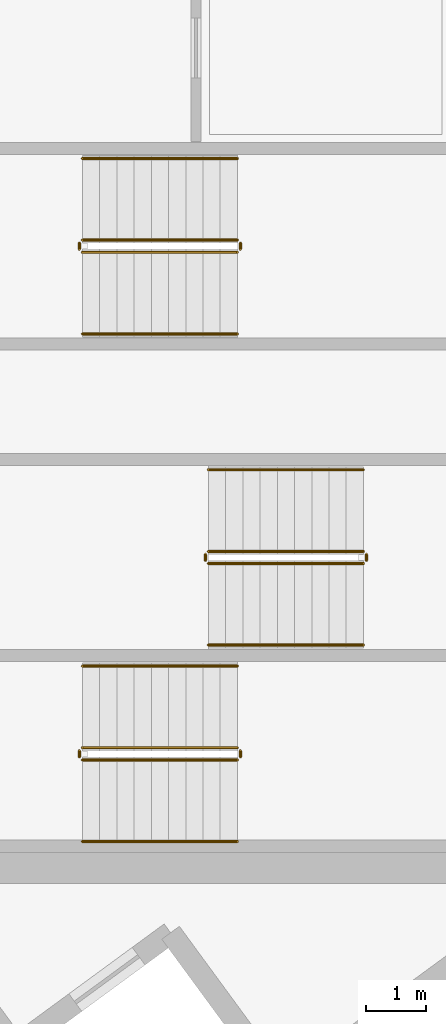
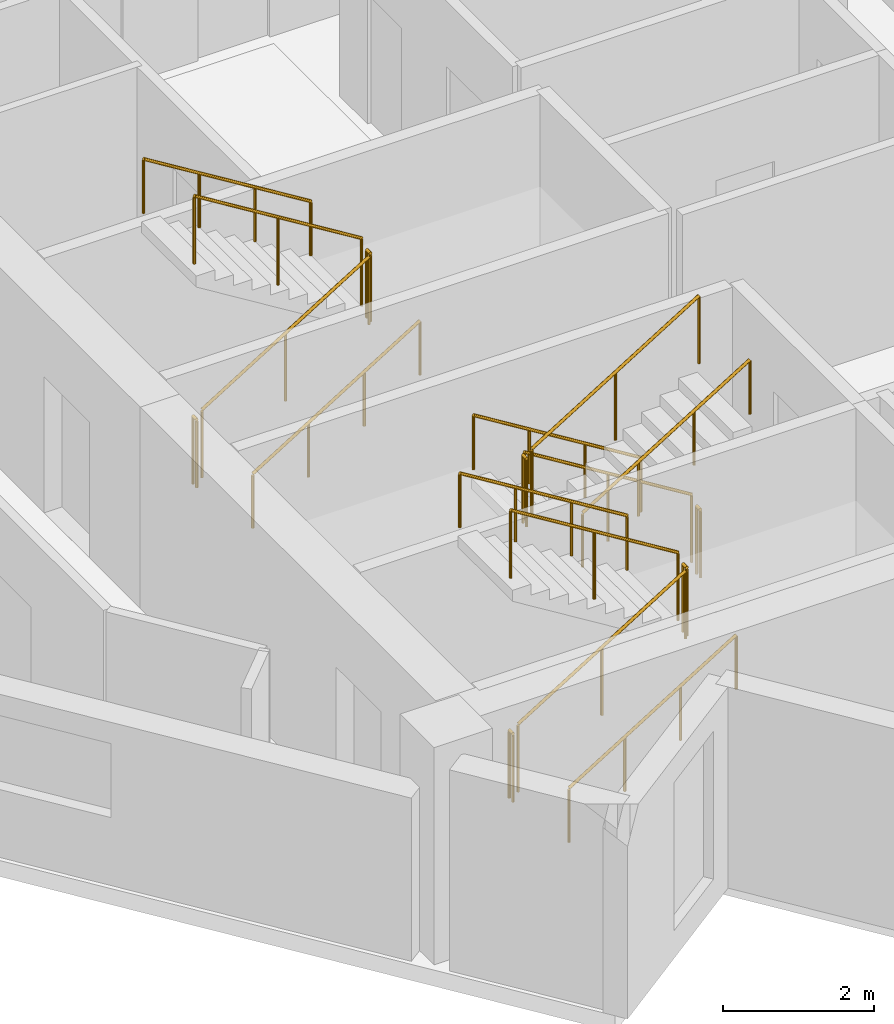
# One storey, part 12 of 13: 18 railings.
"""IFC4 building model written with IfcOpenShell, lengths in metres."""

import ifcopenshell
import ifcopenshell.guid

model = None  # the IFC model being written
_history = None  # IfcOwnerHistory: only IFC2X3 demands one
_inside = {}  # id of a spatial element -> (the spatial element, [elements in it])
_under = {}  # id of a project, library or spatial element -> (it, [spatial elements below it])
_declared = {}  # id of a project -> (the project, [libraries it declares])
_typed = {}  # id of a type object -> (the type object, [elements of that type])
_made_of = {}  # id of a material, layer set ... -> (it, [elements and type objects made of it])


def new_model(schema):
    """Start an empty IFC model of exactly this schema.

    Asked for "IFC4X3", IfcOpenShell would pick the latest addendum, in which some entities
    have other attributes; the version numbers below select the first issue.
    IFC2X3 requires an IfcOwnerHistory on every rooted entity: one is made here for all.
    """
    global model, _history
    if schema == "IFC4X3":
        model = ifcopenshell.file(schema_version=(4, 3, 0, 0))
    else:
        model = ifcopenshell.file(schema=schema)
    _inside.clear()
    _under.clear()
    _declared.clear()
    _typed.clear()
    _made_of.clear()
    _history = None
    if model.schema == "IFC2X3":
        org = make("IfcOrganization", Name="unknown")
        user = make(
            "IfcPersonAndOrganization",
            ThePerson=make("IfcPerson", FamilyName="unknown"),
            TheOrganization=org,
        )
        app = make(
            "IfcApplication",
            ApplicationDeveloper=org,
            Version="unknown",
            ApplicationFullName="unknown",
            ApplicationIdentifier="unknown",
        )
        _history = make(
            "IfcOwnerHistory",
            OwningUser=user,
            OwningApplication=app,
            ChangeAction="ADDED",
            CreationDate=0,
        )
    return model


def make(cls, **values):
    """One entity of the class cls with the attributes given. An attribute that is None is left unset."""
    return model.create_entity(
        cls, **{name: value for name, value in values.items() if value is not None}
    )


def rooted(cls, **values):
    """An entity with a GlobalId (a new one), such as an element, a storey or a relation."""
    return make(cls, GlobalId=ifcopenshell.guid.new(), OwnerHistory=_history, **values)


def si_unit(unit_type, name, prefix=None):
    """IfcSIUnit, for example si_unit("LENGTHUNIT", "METRE", prefix="MILLI")."""
    return make("IfcSIUnit", UnitType=unit_type, Prefix=prefix, Name=name)


def assignment(units):
    """IfcUnitAssignment: the units of a project."""
    return None if units is None else make("IfcUnitAssignment", Units=units)


def point(xyz):
    """IfcCartesianPoint."""
    return None if xyz is None else make("IfcCartesianPoint", Coordinates=xyz)


def direction(xyz):
    """IfcDirection."""
    return None if xyz is None else make("IfcDirection", DirectionRatios=xyz)


def frame(location, z_axis=None, x_axis=None):
    """IfcAxis2Placement3D, a coordinate frame: its origin and axes. An axis left out is left unset."""
    return make(
        "IfcAxis2Placement3D",
        Location=point(location),
        Axis=direction(z_axis),
        RefDirection=direction(x_axis),
    )


def frame_2d(location, x_axis=None):
    """IfcAxis2Placement2D, a coordinate frame in the plane: its origin and x axis."""
    return make(
        "IfcAxis2Placement2D", Location=point(location), RefDirection=direction(x_axis)
    )


def origin():
    """The frame at (0, 0, 0) with its axes left unset."""
    return frame((0.0, 0.0, 0.0))


def origin_2d():
    """The frame at (0, 0) in the plane with its x axis left unset."""
    return frame_2d((0.0, 0.0))


def place(relative_to, where):
    """IfcLocalPlacement: puts the frame where relative to a parent placement (None: the world)."""
    return make(
        "IfcLocalPlacement", PlacementRelTo=relative_to, RelativePlacement=where
    )


def context(
    kind, dimensions, precision=None, world=None, true_north=None, identifier=None
):
    """IfcGeometricRepresentationContext, for example the 3D "Model" context."""
    return make(
        "IfcGeometricRepresentationContext",
        ContextIdentifier=identifier,
        ContextType=kind,
        CoordinateSpaceDimension=dimensions,
        Precision=precision,
        WorldCoordinateSystem=world,
        TrueNorth=true_north,
    )


def subcontext(parent, identifier, kind, view, scale=None):
    """IfcGeometricRepresentationSubContext, for example "Body" below "Model"."""
    return make(
        "IfcGeometricRepresentationSubContext",
        ContextIdentifier=identifier,
        ContextType=kind,
        ParentContext=parent,
        TargetScale=scale,
        TargetView=view,
    )


def project(units=None, contexts=None):
    """IfcProject with its units and contexts."""
    return rooted(
        "IfcProject",
        Name="project",
        RepresentationContexts=contexts,
        UnitsInContext=assignment(units),
    )


def spatial(cls, under=None, at=None, **own):
    """A site, building, storey or space (cls), placed at a placement, below another one or the project."""
    s = rooted(cls, ObjectPlacement=at, **own)
    if under is not None:
        _under.setdefault(under.id(), (under, []))[1].append(s)
    return s


def profile(cls, at=None, kind="AREA", **sizes):
    """A parametric profile (cls). Its sizes go by their IFC names, for example OverallWidth=200.0."""
    return make(cls, ProfileType=kind, Position=at, **sizes)


def circle(**sizes):
    """IfcCircleProfileDef."""
    return profile("IfcCircleProfileDef", **sizes)


def extrude(swept, where, along, depth):
    """IfcExtrudedAreaSolid: the profile swept, set in the frame where, extruded along a direction by depth."""
    return make(
        "IfcExtrudedAreaSolid",
        SweptArea=swept,
        Position=where,
        ExtrudedDirection=direction(along),
        Depth=depth,
    )


def shape(context_of_items, identifier, shape_type, items):
    """IfcShapeRepresentation: the items that make up one representation, for example the "Body"."""
    return make(
        "IfcShapeRepresentation",
        ContextOfItems=context_of_items,
        RepresentationIdentifier=identifier,
        RepresentationType=shape_type,
        Items=items,
    )


def material(Name=None, Category=None):
    """IfcMaterial."""
    return make("IfcMaterial", Name=Name, Category=Category)


def made_of(thing, what):
    """Note that an element or type object is made of a material, layer set ...; save() writes the relation."""
    if what is not None:
        _made_of.setdefault(what.id(), (what, []))[1].append(thing)
    return thing


def type_object(cls, material=None, **own):
    """A type object (cls), such as IfcWallType, which elements share."""
    return made_of(rooted(cls, **own), material)


def element(
    cls,
    number,
    at=None,
    inside=None,
    cuts=None,
    type_object=None,
    material=None,
    context=None,
    identifier="Body",
    shape_type=None,
    held_by="IfcProductDefinitionShape",
    body=None,
    shapes=None,
    **own,
):
    """One element of the class cls, such as IfcWall. Its Tag is "e" and its number.

    at: its placement. inside: the storey or other place that contains it. cuts: it is an
    opening in that element (IfcRelVoidsElement). A single representation is given by context,
    identifier, shape_type and body (its items); several are given by shapes. held_by: the class
    of the entity that holds the representations. save() writes the other relations.
    """
    e = rooted(cls, Tag="e%d" % number, ObjectPlacement=at, **own)
    if body is not None:
        shapes = [shape(context, identifier, shape_type, body)]
    if shapes is not None:
        e.Representation = make(held_by, Representations=shapes)
    if inside is not None:
        _inside.setdefault(inside.id(), (inside, []))[1].append(e)
    if cuts is not None:
        rooted(
            "IfcRelVoidsElement", RelatingBuildingElement=cuts, RelatedOpeningElement=e
        )
    if type_object is not None:
        _typed.setdefault(type_object.id(), (type_object, []))[1].append(e)
    return made_of(e, material)


def aggregate(whole, parts):
    """IfcRelAggregates: a whole, such as a stair, and the parts it consists of."""
    return rooted("IfcRelAggregates", RelatingObject=whole, RelatedObjects=parts)


def save(model, path):
    """Write the relations noted so far, then the file.

    IfcRelAggregates (storeys below a building ...), IfcRelContainedInSpatialStructure (elements
    in a storey), IfcRelDefinesByType, IfcRelAssociatesMaterial and IfcRelDeclares: one each for
    every whole, place, type object, material and project.
    """
    for whole, parts in _under.values():
        aggregate(whole, parts)
    for where, things in _inside.values():
        rooted(
            "IfcRelContainedInSpatialStructure",
            RelatedElements=things,
            RelatingStructure=where,
        )
    for kind, things in _typed.values():
        rooted("IfcRelDefinesByType", RelatedObjects=things, RelatingType=kind)
    for what, things in _made_of.values():
        rooted("IfcRelAssociatesMaterial", RelatedObjects=things, RelatingMaterial=what)
    for by, libraries in _declared.values():
        rooted("IfcRelDeclares", RelatingContext=by, RelatedDefinitions=libraries)
    model.write(path)


model = new_model("IFC4")

# Units and contexts
model_context = context("Model", 3, precision=1e-05, world=origin(), true_north=direction((0.0, 1.0)))
body_context = subcontext(model_context, "Body", "Model", "MODEL_VIEW")
ifc_project = project(units=[si_unit("LENGTHUNIT", "METRE"), si_unit("AREAUNIT", "SQUARE_METRE"), si_unit("VOLUMEUNIT", "CUBIC_METRE"), si_unit("PLANEANGLEUNIT", "RADIAN"), si_unit("MASSUNIT", "GRAM", prefix="KILO")], contexts=[model_context])

# Site, building, storey
site_placement = place(None, origin())
site = spatial("IfcSite", under=ifc_project, at=site_placement, CompositionType="ELEMENT")
building_placement = place(site_placement, origin())
building = spatial("IfcBuilding", under=site, at=building_placement, Name="Narakoshi Arena Tower", CompositionType="ELEMENT")
storey_placement = place(building_placement, frame((0.0, 0.0, 243.139892578125)))
storey = spatial("IfcBuildingStorey", under=building, at=storey_placement, Name="L66", CompositionType="ELEMENT", Elevation=243.139892578125)

# Railings
ifc_material_1 = material(Name="Clear low-iron laminated structural glass", Category="glass")
railing_type_1 = type_object("IfcRailingType", Name="RL-BAL-1100", PredefinedType="BALUSTRADE", material=ifc_material_1)
railing_1_placement = place(storey_placement, frame((74.39990234375, 36.949951171875, 0.176025390625)))
element("IfcRailing", 1, at=railing_1_placement, inside=storey, type_object=railing_type_1, Name="L66 ST1 stair guard 1", PredefinedType="BALUSTRADE", context=body_context, shape_type="SweptSolid", body=[
    extrude(circle(Radius=0.02392578125, at=origin_2d()), frame((0.0, 0.0, 1.09619140625), z_axis=(0.850856559306, 0.0, 0.525398054323), x_axis=(0.0, 1.0, 0.0)), (0.0, 0.0, 1.0), 3.014892578125),
    extrude(circle(Radius=0.02099609375, at=origin_2d()), origin(), (0.0, 0.0, 1.0), 1.072021484375),
    extrude(circle(Radius=0.02099609375, at=origin_2d()), frame((1.28271484375, 0.0, 0.7919921875)), (0.0, 0.0, 1.0), 1.072021484375),
    extrude(circle(Radius=0.02099609375, at=origin_2d()), frame((2.565185546875, 0.0, 1.583984375)), (0.0, 0.0, 1.0), 1.072021484375),
])
railing_2_placement = place(storey_placement, frame((77.014892578125, 37.0, 1.760009765625)))
element("IfcRailing", 2, at=railing_2_placement, inside=storey, type_object=railing_type_1, Name="L66 ST1 stair guard 2", PredefinedType="BALUSTRADE", context=body_context, shape_type="SweptSolid", body=[
    extrude(circle(Radius=0.02392578125, at=origin_2d()), frame((0.0, 0.0, 1.09619140625), z_axis=(0.0, 1.0, 0.0), x_axis=(-1.0, 0.0, 0.0)), (0.0, 0.0, 1.0), 0.10009765625),
    extrude(circle(Radius=0.02099609375, at=origin_2d()), origin(), (0.0, 0.0, 1.0), 1.072021484375),
    extrude(circle(Radius=0.02099609375, at=origin_2d()), frame((0.0, 0.10009765625, 0.0)), (0.0, 0.0, 1.0), 1.072021484375),
])
railing_3_placement = place(storey_placement, frame((76.965087890625, 37.14990234375, 1.93603515625)))
element("IfcRailing", 3, at=railing_3_placement, inside=storey, type_object=railing_type_1, Name="L66 ST1 stair guard 3", PredefinedType="BALUSTRADE", context=body_context, shape_type="SweptSolid", body=[
    extrude(circle(Radius=0.02392578125, at=origin_2d()), frame((0.0, 0.0, 1.09619140625), z_axis=(-0.850856559306, 0.0, 0.525398054323), x_axis=(0.0, -1.0, 0.0)), (0.0, 0.0, 1.0), 3.014892578125),
    extrude(circle(Radius=0.02099609375, at=origin_2d()), origin(), (0.0, 0.0, 1.0), 1.072021484375),
    extrude(circle(Radius=0.02099609375, at=origin_2d()), frame((-1.28271484375, 0.0, 0.7919921875)), (0.0, 0.0, 1.0), 1.072021484375),
    extrude(circle(Radius=0.02099609375, at=origin_2d()), frame((-2.565185546875, 0.0, 1.583984375)), (0.0, 0.0, 1.0), 1.072021484375),
])
railing_4_placement = place(storey_placement, frame((74.35009765625, 37.0, 0.0)))
element("IfcRailing", 4, at=railing_4_placement, inside=storey, type_object=railing_type_1, Name="L66 ST1 stair guard 4", PredefinedType="BALUSTRADE", context=body_context, shape_type="SweptSolid", body=[
    extrude(circle(Radius=0.02392578125, at=origin_2d()), frame((0.0, 0.0, 1.09619140625), z_axis=(0.0, 1.0, 0.0), x_axis=(-1.0, 0.0, 0.0)), (0.0, 0.0, 1.0), 0.10009765625),
    extrude(circle(Radius=0.02099609375, at=origin_2d()), origin(), (0.0, 0.0, 1.0), 1.072021484375),
    extrude(circle(Radius=0.02099609375, at=origin_2d()), frame((0.0, 0.10009765625, 0.0)), (0.0, 0.0, 1.0), 1.072021484375),
])
railing_5_placement = place(storey_placement, frame((79.050048828125, 40.39990234375, 0.176025390625)))
element("IfcRailing", 5, at=railing_5_placement, inside=storey, type_object=railing_type_1, Name="L66 ST2 stair guard 1", PredefinedType="BALUSTRADE", context=body_context, shape_type="SweptSolid", body=[
    extrude(circle(Radius=0.02392578125, at=origin_2d()), frame((0.0, 0.0, 1.09619140625), z_axis=(-0.850834203031, 0.0, 0.525434257497), x_axis=(0.0, -1.0, 0.0)), (0.0, 0.0, 1.0), 3.0146484375),
    extrude(circle(Radius=0.02099609375, at=origin_2d()), origin(), (0.0, 0.0, 1.0), 1.072021484375),
    extrude(circle(Radius=0.02099609375, at=origin_2d()), frame((-1.282470703125, 0.0, 0.7919921875)), (0.0, 0.0, 1.0), 1.072021484375),
    extrude(circle(Radius=0.02099609375, at=origin_2d()), frame((-2.56494140625, 0.0, 1.583984375)), (0.0, 0.0, 1.0), 1.072021484375),
])
railing_6_placement = place(storey_placement, frame((76.43505859375, 40.35009765625, 1.760009765625)))
element("IfcRailing", 6, at=railing_6_placement, inside=storey, type_object=railing_type_1, Name="L66 ST2 stair guard 2", PredefinedType="BALUSTRADE", context=body_context, shape_type="SweptSolid", body=[
    extrude(circle(Radius=0.02392578125, at=origin_2d()), frame((0.0, 0.0, 1.09619140625), z_axis=(0.0, -1.0, 0.0), x_axis=(1.0, 0.0, 0.0)), (0.0, 0.0, 1.0), 0.10009765625),
    extrude(circle(Radius=0.02099609375, at=origin_2d()), origin(), (0.0, 0.0, 1.0), 1.072021484375),
    extrude(circle(Radius=0.02099609375, at=origin_2d()), frame((0.0, -0.10009765625, 0.0)), (0.0, 0.0, 1.0), 1.072021484375),
])
railing_7_placement = place(storey_placement, frame((76.485107421875, 40.199951171875, 1.93603515625)))
element("IfcRailing", 7, at=railing_7_placement, inside=storey, type_object=railing_type_1, Name="L66 ST2 stair guard 3", PredefinedType="BALUSTRADE", context=body_context, shape_type="SweptSolid", body=[
    extrude(circle(Radius=0.02392578125, at=origin_2d()), frame((0.0, 0.0, 1.09619140625), z_axis=(0.850834203031, 0.0, 0.525434257497), x_axis=(0.0, 1.0, 0.0)), (0.0, 0.0, 1.0), 3.0146484375),
    extrude(circle(Radius=0.02099609375, at=origin_2d()), origin(), (0.0, 0.0, 1.0), 1.072021484375),
    extrude(circle(Radius=0.02099609375, at=origin_2d()), frame((1.282470703125, 0.0, 0.7919921875)), (0.0, 0.0, 1.0), 1.072021484375),
    extrude(circle(Radius=0.02099609375, at=origin_2d()), frame((2.56494140625, 0.0, 1.583984375)), (0.0, 0.0, 1.0), 1.072021484375),
])
railing_8_placement = place(storey_placement, frame((79.10009765625, 40.35009765625, 0.0)))
element("IfcRailing", 8, at=railing_8_placement, inside=storey, type_object=railing_type_1, Name="L66 ST2 stair guard 4", PredefinedType="BALUSTRADE", context=body_context, shape_type="SweptSolid", body=[
    extrude(circle(Radius=0.02392578125, at=origin_2d()), frame((0.0, 0.0, 1.09619140625), z_axis=(0.0, -1.0, 0.0), x_axis=(1.0, 0.0, 0.0)), (0.0, 0.0, 1.0), 0.10009765625),
    extrude(circle(Radius=0.02099609375, at=origin_2d()), origin(), (0.0, 0.0, 1.0), 1.072021484375),
    extrude(circle(Radius=0.02099609375, at=origin_2d()), frame((0.0, -0.10009765625, 0.0)), (0.0, 0.0, 1.0), 1.072021484375),
])
railing_9_placement = place(storey_placement, frame((74.39990234375, 45.35009765625, 0.176025390625)))
element("IfcRailing", 9, at=railing_9_placement, inside=storey, type_object=railing_type_1, Name="L66 ST3 stair guard 1", PredefinedType="BALUSTRADE", context=body_context, shape_type="SweptSolid", body=[
    extrude(circle(Radius=0.02392578125, at=origin_2d()), frame((0.0, 0.0, 1.09619140625), z_axis=(0.850856559306, 0.0, 0.525398054323), x_axis=(0.0, 1.0, 0.0)), (0.0, 0.0, 1.0), 3.014892578125),
    extrude(circle(Radius=0.02099609375, at=origin_2d()), origin(), (0.0, 0.0, 1.0), 1.072021484375),
    extrude(circle(Radius=0.02099609375, at=origin_2d()), frame((1.28271484375, 0.0, 0.7919921875)), (0.0, 0.0, 1.0), 1.072021484375),
    extrude(circle(Radius=0.02099609375, at=origin_2d()), frame((2.565185546875, 0.0, 1.583984375)), (0.0, 0.0, 1.0), 1.072021484375),
])
railing_10_placement = place(storey_placement, frame((77.014892578125, 45.39990234375, 1.760009765625)))
element("IfcRailing", 10, at=railing_10_placement, inside=storey, type_object=railing_type_1, Name="L66 ST3 stair guard 2", PredefinedType="BALUSTRADE", context=body_context, shape_type="SweptSolid", body=[
    extrude(circle(Radius=0.02392578125, at=origin_2d()), frame((0.0, 0.0, 1.09619140625), z_axis=(0.0, 1.0, 0.0), x_axis=(-1.0, 0.0, 0.0)), (0.0, 0.0, 1.0), 0.10009765625),
    extrude(circle(Radius=0.02099609375, at=origin_2d()), origin(), (0.0, 0.0, 1.0), 1.072021484375),
    extrude(circle(Radius=0.02099609375, at=origin_2d()), frame((0.0, 0.10009765625, 0.0)), (0.0, 0.0, 1.0), 1.072021484375),
])
railing_11_placement = place(storey_placement, frame((76.965087890625, 45.550048828125, 1.93603515625)))
element("IfcRailing", 11, at=railing_11_placement, inside=storey, type_object=railing_type_1, Name="L66 ST3 stair guard 3", PredefinedType="BALUSTRADE", context=body_context, shape_type="SweptSolid", body=[
    extrude(circle(Radius=0.02392578125, at=origin_2d()), frame((0.0, 0.0, 1.09619140625), z_axis=(-0.850856559306, 0.0, 0.525398054323), x_axis=(0.0, -1.0, 0.0)), (0.0, 0.0, 1.0), 3.014892578125),
    extrude(circle(Radius=0.02099609375, at=origin_2d()), origin(), (0.0, 0.0, 1.0), 1.072021484375),
    extrude(circle(Radius=0.02099609375, at=origin_2d()), frame((-1.28271484375, 0.0, 0.7919921875)), (0.0, 0.0, 1.0), 1.072021484375),
    extrude(circle(Radius=0.02099609375, at=origin_2d()), frame((-2.565185546875, 0.0, 1.583984375)), (0.0, 0.0, 1.0), 1.072021484375),
])
railing_12_placement = place(storey_placement, frame((74.35009765625, 45.39990234375, 0.0)))
element("IfcRailing", 12, at=railing_12_placement, inside=storey, type_object=railing_type_1, Name="L66 ST3 stair guard 4", PredefinedType="BALUSTRADE", context=body_context, shape_type="SweptSolid", body=[
    extrude(circle(Radius=0.02392578125, at=origin_2d()), frame((0.0, 0.0, 1.09619140625), z_axis=(0.0, 1.0, 0.0), x_axis=(-1.0, 0.0, 0.0)), (0.0, 0.0, 1.0), 0.10009765625),
    extrude(circle(Radius=0.02099609375, at=origin_2d()), origin(), (0.0, 0.0, 1.0), 1.072021484375),
    extrude(circle(Radius=0.02099609375, at=origin_2d()), frame((0.0, 0.10009765625, 0.0)), (0.0, 0.0, 1.0), 1.072021484375),
])
ifc_material_2 = material(Name="Brushed bronze stainless steel", Category="steel")
railing_type_2 = type_object("IfcRailingType", Name="RL-HND-900", PredefinedType="HANDRAIL", material=ifc_material_2)
railing_13_placement = place(storey_placement, frame((74.39990234375, 35.60009765625, 0.176025390625)))
element("IfcRailing", 13, at=railing_13_placement, inside=storey, type_object=railing_type_2, Name="L66 ST1 stair handrail 1", PredefinedType="HANDRAIL", context=body_context, shape_type="SweptSolid", body=[
    extrude(circle(Radius=0.02392578125, at=origin_2d()), frame((0.0, 0.0, 0.8759765625), z_axis=(0.850856559306, 0.0, 0.525398054323), x_axis=(0.0, 1.0, 0.0)), (0.0, 0.0, 1.0), 3.014892578125),
    extrude(circle(Radius=0.02099609375, at=origin_2d()), origin(), (0.0, 0.0, 1.0), 0.851806640625),
    extrude(circle(Radius=0.02099609375, at=origin_2d()), frame((0.85498046875, 0.0, 0.528076171875)), (0.0, 0.0, 1.0), 0.851806640625),
    extrude(circle(Radius=0.02099609375, at=origin_2d()), frame((1.710205078125, 0.0, 1.055908203125)), (0.0, 0.0, 1.0), 0.851806640625),
    extrude(circle(Radius=0.02099609375, at=origin_2d()), frame((2.565185546875, 0.0, 1.583984375)), (0.0, 0.0, 1.0), 0.851806640625),
])
railing_14_placement = place(storey_placement, frame((76.965087890625, 38.5, 1.93603515625)))
element("IfcRailing", 14, at=railing_14_placement, inside=storey, type_object=railing_type_2, Name="L66 ST1 stair handrail 2", PredefinedType="HANDRAIL", context=body_context, shape_type="SweptSolid", body=[
    extrude(circle(Radius=0.02392578125, at=origin_2d()), frame((0.0, 0.0, 0.8759765625), z_axis=(-0.850856559306, 0.0, 0.525398054323), x_axis=(0.0, -1.0, 0.0)), (0.0, 0.0, 1.0), 3.014892578125),
    extrude(circle(Radius=0.02099609375, at=origin_2d()), origin(), (0.0, 0.0, 1.0), 0.851806640625),
    extrude(circle(Radius=0.02099609375, at=origin_2d()), frame((-0.85498046875, 0.0, 0.528076171875)), (0.0, 0.0, 1.0), 0.851806640625),
    extrude(circle(Radius=0.02099609375, at=origin_2d()), frame((-1.710205078125, 0.0, 1.055908203125)), (0.0, 0.0, 1.0), 0.851806640625),
    extrude(circle(Radius=0.02099609375, at=origin_2d()), frame((-2.565185546875, 0.0, 1.583984375)), (0.0, 0.0, 1.0), 0.851806640625),
])
railing_15_placement = place(storey_placement, frame((79.050048828125, 41.75, 0.176025390625)))
element("IfcRailing", 15, at=railing_15_placement, inside=storey, type_object=railing_type_2, Name="L66 ST2 stair handrail 1", PredefinedType="HANDRAIL", context=body_context, shape_type="SweptSolid", body=[
    extrude(circle(Radius=0.02392578125, at=origin_2d()), frame((0.0, 0.0, 0.8759765625), z_axis=(-0.850834203031, 0.0, 0.525434257497), x_axis=(0.0, -1.0, 0.0)), (0.0, 0.0, 1.0), 3.0146484375),
    extrude(circle(Radius=0.02099609375, at=origin_2d()), origin(), (0.0, 0.0, 1.0), 0.851806640625),
    extrude(circle(Radius=0.02099609375, at=origin_2d()), frame((-0.85498046875, 0.0, 0.528076171875)), (0.0, 0.0, 1.0), 0.851806640625),
    extrude(circle(Radius=0.02099609375, at=origin_2d()), frame((-1.7099609375, 0.0, 1.055908203125)), (0.0, 0.0, 1.0), 0.851806640625),
    extrude(circle(Radius=0.02099609375, at=origin_2d()), frame((-2.56494140625, 0.0, 1.583984375)), (0.0, 0.0, 1.0), 0.851806640625),
])
railing_16_placement = place(storey_placement, frame((76.485107421875, 38.85009765625, 1.93603515625)))
element("IfcRailing", 16, at=railing_16_placement, inside=storey, type_object=railing_type_2, Name="L66 ST2 stair handrail 2", PredefinedType="HANDRAIL", context=body_context, shape_type="SweptSolid", body=[
    extrude(circle(Radius=0.02392578125, at=origin_2d()), frame((0.0, 0.0, 0.8759765625), z_axis=(0.850834203031, 0.0, 0.525434257497), x_axis=(0.0, 1.0, 0.0)), (0.0, 0.0, 1.0), 3.0146484375),
    extrude(circle(Radius=0.02099609375, at=origin_2d()), origin(), (0.0, 0.0, 1.0), 0.851806640625),
    extrude(circle(Radius=0.02099609375, at=origin_2d()), frame((0.85498046875, 0.0, 0.528076171875)), (0.0, 0.0, 1.0), 0.851806640625),
    extrude(circle(Radius=0.02099609375, at=origin_2d()), frame((1.7099609375, 0.0, 1.055908203125)), (0.0, 0.0, 1.0), 0.851806640625),
    extrude(circle(Radius=0.02099609375, at=origin_2d()), frame((2.56494140625, 0.0, 1.583984375)), (0.0, 0.0, 1.0), 0.851806640625),
])
railing_17_placement = place(storey_placement, frame((74.39990234375, 44.0, 0.176025390625)))
element("IfcRailing", 17, at=railing_17_placement, inside=storey, type_object=railing_type_2, Name="L66 ST3 stair handrail 1", PredefinedType="HANDRAIL", context=body_context, shape_type="SweptSolid", body=[
    extrude(circle(Radius=0.02392578125, at=origin_2d()), frame((0.0, 0.0, 0.8759765625), z_axis=(0.850856559306, 0.0, 0.525398054323), x_axis=(0.0, 1.0, 0.0)), (0.0, 0.0, 1.0), 3.014892578125),
    extrude(circle(Radius=0.02099609375, at=origin_2d()), origin(), (0.0, 0.0, 1.0), 0.851806640625),
    extrude(circle(Radius=0.02099609375, at=origin_2d()), frame((0.85498046875, 0.0, 0.528076171875)), (0.0, 0.0, 1.0), 0.851806640625),
    extrude(circle(Radius=0.02099609375, at=origin_2d()), frame((1.710205078125, 0.0, 1.055908203125)), (0.0, 0.0, 1.0), 0.851806640625),
    extrude(circle(Radius=0.02099609375, at=origin_2d()), frame((2.565185546875, 0.0, 1.583984375)), (0.0, 0.0, 1.0), 0.851806640625),
])
railing_18_placement = place(storey_placement, frame((76.965087890625, 46.89990234375, 1.93603515625)))
element("IfcRailing", 18, at=railing_18_placement, inside=storey, type_object=railing_type_2, Name="L66 ST3 stair handrail 2", PredefinedType="HANDRAIL", context=body_context, shape_type="SweptSolid", body=[
    extrude(circle(Radius=0.02392578125, at=origin_2d()), frame((0.0, 0.0, 0.8759765625), z_axis=(-0.850856559306, 0.0, 0.525398054323), x_axis=(0.0, -1.0, 0.0)), (0.0, 0.0, 1.0), 3.014892578125),
    extrude(circle(Radius=0.02099609375, at=origin_2d()), origin(), (0.0, 0.0, 1.0), 0.851806640625),
    extrude(circle(Radius=0.02099609375, at=origin_2d()), frame((-0.85498046875, 0.0, 0.528076171875)), (0.0, 0.0, 1.0), 0.851806640625),
    extrude(circle(Radius=0.02099609375, at=origin_2d()), frame((-1.710205078125, 0.0, 1.055908203125)), (0.0, 0.0, 1.0), 0.851806640625),
    extrude(circle(Radius=0.02099609375, at=origin_2d()), frame((-2.565185546875, 0.0, 1.583984375)), (0.0, 0.0, 1.0), 0.851806640625),
])

save(model, "model.ifc")
